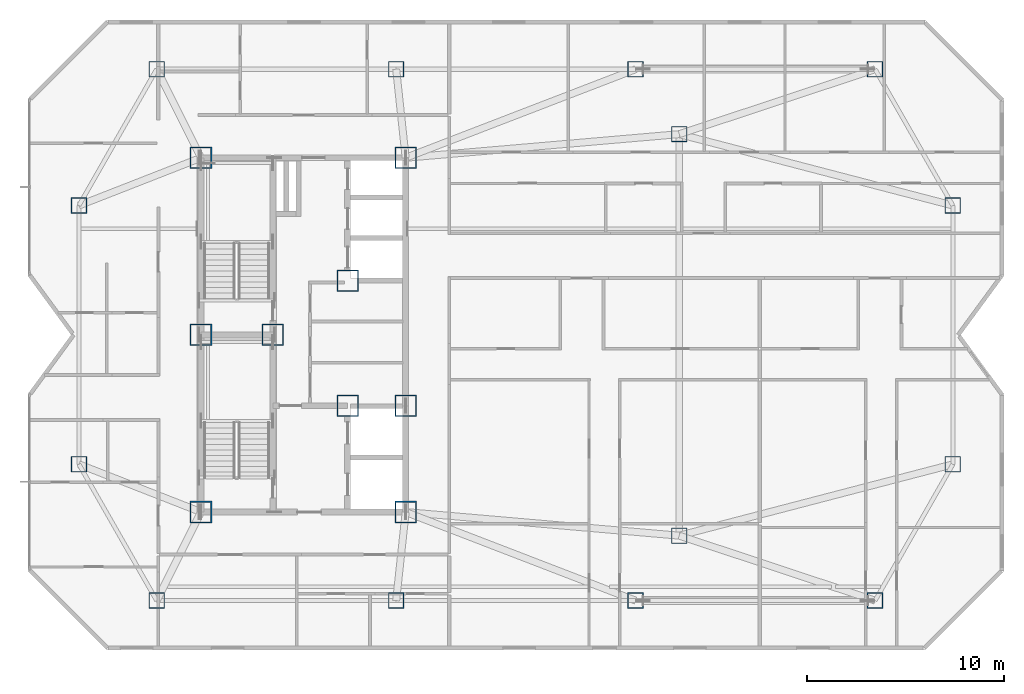
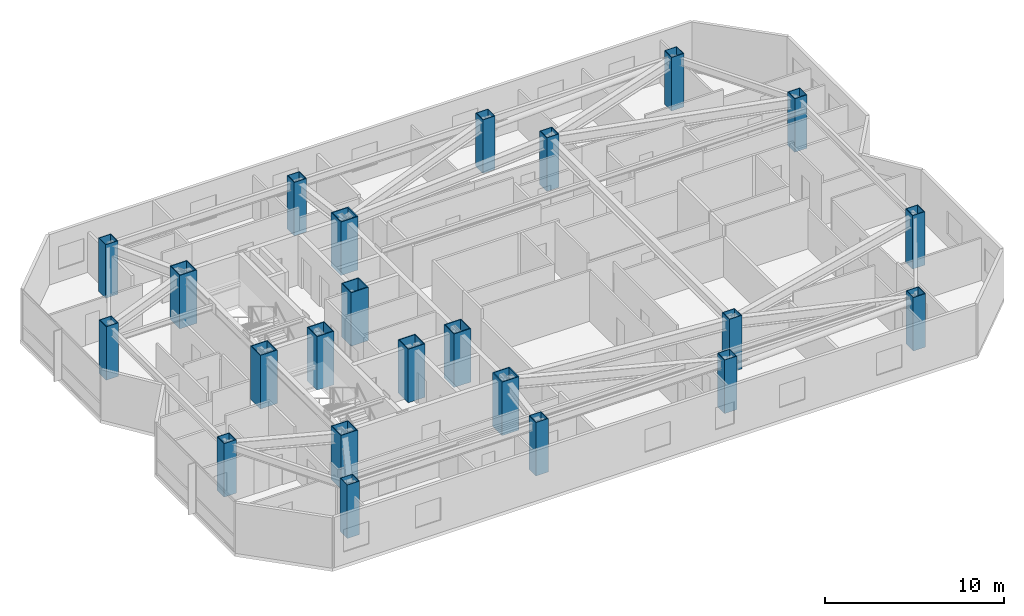
# One storey, part 1 of 15: 23 columns.
"""IFC4 building model written with IfcOpenShell, lengths in metres."""

from ifc_helpers import new_model, si_unit, direction, frame, origin, origin_2d, place, context, subcontext, project, spatial, hollow_rectangle, extrude, material, material_profile, profile_set, type_object, element, save


model = new_model("IFC4")

# Units and contexts
model_context = context("Model", 3, precision=1e-05, world=origin(), true_north=direction((0.0, 1.0)))
body_context = subcontext(model_context, "Body", "Model", "MODEL_VIEW")
ifc_project = project(units=[si_unit("LENGTHUNIT", "METRE"), si_unit("AREAUNIT", "SQUARE_METRE"), si_unit("VOLUMEUNIT", "CUBIC_METRE"), si_unit("PLANEANGLEUNIT", "RADIAN"), si_unit("MASSUNIT", "GRAM", prefix="KILO")], contexts=[model_context])

# Site, building, storey
site_placement = place(None, origin())
site = spatial("IfcSite", under=ifc_project, at=site_placement, CompositionType="ELEMENT")
building_placement = place(site_placement, origin())
building = spatial("IfcBuilding", under=site, at=building_placement, Name="Khamvora Tower", CompositionType="ELEMENT")
storey_placement = place(building_placement, frame((0.0, 0.0, 220.85009765625)))
storey = spatial("IfcBuildingStorey", under=building, at=storey_placement, Name="L56", CompositionType="ELEMENT", Elevation=220.85009765625)

# Columns
ifc_material_1 = material(Name="Steel S460", Category="steel")
ifc_material_profile_1 = material_profile(ifc_material_1, hollow_rectangle(XDim=1.10009765625, YDim=1.10009765625, WallThickness=0.054931640625, at=origin_2d()), Name="BOX1100x1100x55")
ifc_profile_set_1 = profile_set([ifc_material_profile_1], Name="Steel S460")
column_type_1 = type_object("IfcColumnType", Name="COL-BOX1100", PredefinedType="COLUMN", material=ifc_profile_set_1)
for number, where, z_axis, x_axis, name in (
    (1, (29.0, 19.0, 0.0), (0.0, 0.0, 1.0), (1.0, 0.0, 0.0), "L56 plumb core spine column SC1"),
    (2, (32.64990234375, 28.0, 0.0), (0.0, 0.0, 1.0), (1.0, 0.0, 0.0), "L56 plumb core spine column SC2"),
    (3, (39.39990234375, 19.0, 0.0), (0.0, 0.0, 1.0), (1.0, 0.0, 0.0), "L56 plumb core spine column SC3"),
    (4, (29.0, 28.0, 0.0), (0.0, 0.0, 1.0), (1.0, 0.0, 0.0), "L56 plumb core spine column SC4"),
    (5, (36.449951171875, 24.39990234375, 0.0), (0.0, 0.0, 1.0), (1.0, 0.0, 0.0), "L56 plumb core spine column SC5"),
    (6, (39.39990234375, 24.39990234375, 0.0), (0.0, 0.0, 1.0), (1.0, 0.0, 0.0), "L56 plumb core spine column SC6"),
    (7, (29.0, 37.0, 0.0), (0.0, 0.0, 1.0), (1.0, 0.0, 0.0), "L56 plumb core spine column SC7"),
    (8, (36.449951171875, 30.75, 0.0), (0.0, 0.0, 1.0), (1.0, 0.0, 0.0), "L56 plumb core spine column SC8"),
    (9, (39.39990234375, 37.0, 0.0), (0.0, 0.0, 1.0), (1.0, 0.0, 0.0), "L56 plumb core spine column SC9"),
):
    element("IfcColumn", number, at=place(storey_placement, frame(where, z_axis=z_axis, x_axis=x_axis)), inside=storey, type_object=column_type_1, Name=name, PredefinedType="COLUMN", context=body_context, shape_type="SweptSolid", body=[
        extrude(hollow_rectangle(XDim=1.10009765625, YDim=1.10009765625, WallThickness=0.054931640625, at=origin_2d()), origin(), (0.0, 0.0, 1.0), 3.64990234375),
    ])
ifc_material_2 = material(Name="Steel S355", Category="steel")
ifc_material_profile_2 = material_profile(ifc_material_2, hollow_rectangle(XDim=0.800048828125, YDim=0.800048828125, WallThickness=0.0400390625, at=origin_2d()), Name="BOX800x800x40")
ifc_profile_set_2 = profile_set([ifc_material_profile_2], Name="Steel S355")
column_type_2 = type_object("IfcColumnType", Name="COL-BOX800", PredefinedType="COLUMN", material=ifc_profile_set_2)
for number, where, z_axis, x_axis, name in (
    (10, (26.75, 14.5, 0.0), (0.0, 0.0, 1.0), (1.0, 0.0, 0.0), "L56 structural frame column S1"),
    (11, (38.9169921875, 14.5, 0.0), (0.0, 0.0, 1.0), (1.0, 0.0, 0.0), "L56 structural frame column S2"),
    (12, (51.0830078125, 14.5, 0.0), (0.0, 0.0, 1.0), (1.0, 0.0, 0.0), "L56 structural frame column S3"),
    (13, (63.25, 14.5, 0.0), (0.0, 0.0, 1.0), (1.0, 0.0, 0.0), "L56 structural frame column S4"),
    (14, (26.75, 41.5, 0.0), (0.0, 0.0, 1.0), (1.0, 0.0, 0.0), "L56 structural frame column N1"),
    (15, (38.9169921875, 41.5, 0.0), (0.0, 0.0, 1.0), (1.0, 0.0, 0.0), "L56 structural frame column N2"),
    (16, (51.0830078125, 41.5, 0.0), (0.0, 0.0, 1.0), (1.0, 0.0, 0.0), "L56 structural frame column N3"),
    (17, (63.25, 41.5, 0.0), (0.0, 0.0, 1.0), (1.0, 0.0, 0.0), "L56 structural frame column N4"),
    (18, (22.800048828125, 21.425048828125, 0.0), (0.0, 0.0, 1.0), (1.0, 0.0, 0.0), "L56 structural frame column W1"),
    (19, (22.800048828125, 34.574951171875, 0.0), (0.0, 0.0, 1.0), (1.0, 0.0, 0.0), "L56 structural frame column W2"),
    (20, (67.199951171875, 21.425048828125, 0.0), (0.0, 0.0, 1.0), (1.0, 0.0, 0.0), "L56 structural frame column E1"),
    (21, (67.199951171875, 34.574951171875, 0.0), (0.0, 0.0, 1.0), (1.0, 0.0, 0.0), "L56 structural frame column E2"),
    (22, (53.300048828125, 17.800048828125, 0.0), (0.0, 0.0, 1.0), (1.0, 0.0, 0.0), "L56 structural frame column M1"),
    (23, (53.300048828125, 38.199951171875, 0.0), (0.0, 0.0, 1.0), (1.0, 0.0, 0.0), "L56 structural frame column M2"),
):
    element("IfcColumn", number, at=place(storey_placement, frame(where, z_axis=z_axis, x_axis=x_axis)), inside=storey, type_object=column_type_2, Name=name, PredefinedType="COLUMN", context=body_context, shape_type="SweptSolid", body=[
        extrude(hollow_rectangle(XDim=0.800048828125, YDim=0.800048828125, WallThickness=0.0400390625, at=origin_2d()), origin(), (0.0, 0.0, 1.0), 3.64990234375),
    ])

save(model, "model.ifc")
